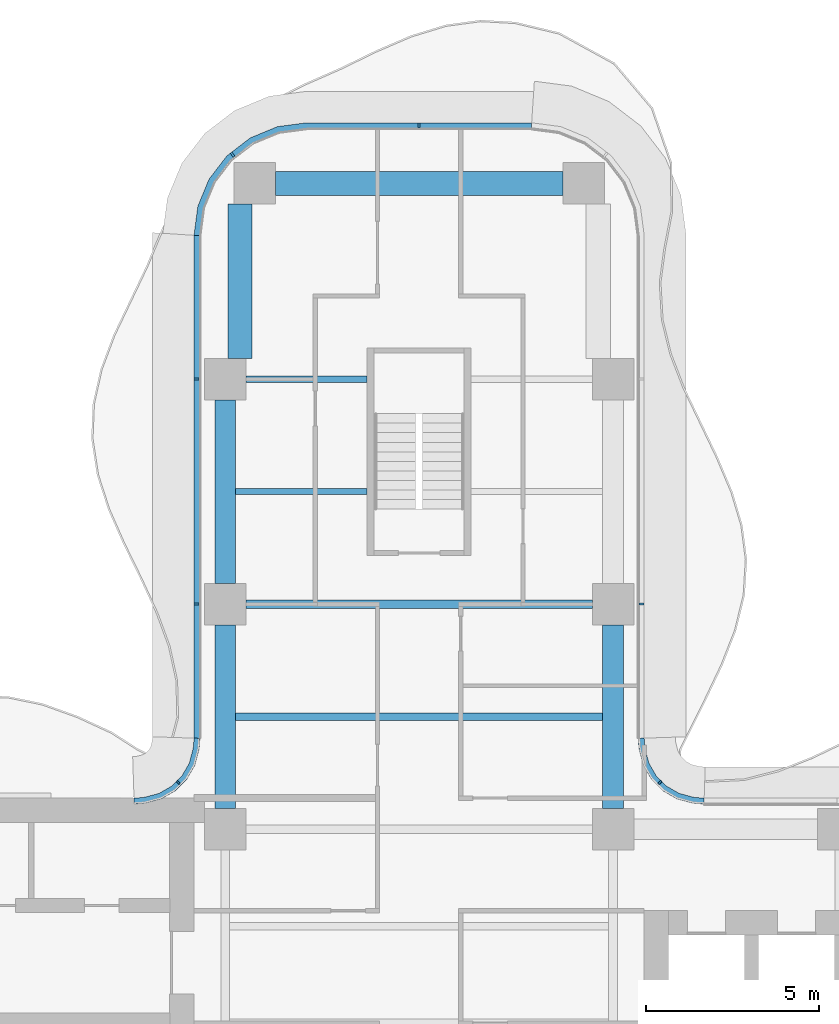
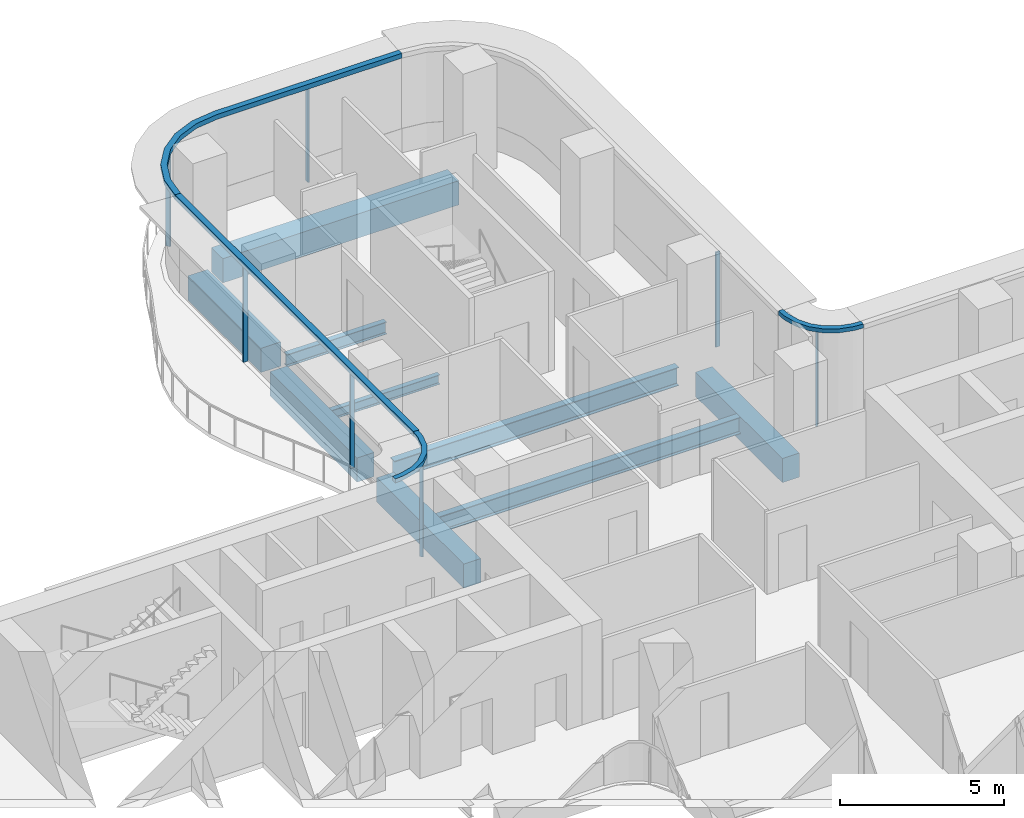
# One storey, part 7 of 17: 11 members, 9 beams, 5 elements without a shape of their own.
"""IFC4 building model written with IfcOpenShell, lengths in metres."""

from ifc_helpers import new_model, si_unit, direction, frame, origin, origin_2d, place, context, subcontext, project, spatial, polyline, rectangle, i_section, outline, extrude, source, transform, mapped, material, layer, layer_set, material_profile, profile_set, type_object, element, aggregate, save


model = new_model("IFC4")

# Units and contexts
model_context = context("Model", 3, precision=1e-05, world=origin(), true_north=direction((0.0, 1.0)))
body_context = subcontext(model_context, "Body", "Model", "MODEL_VIEW")
ifc_project = project(units=[si_unit("LENGTHUNIT", "METRE"), si_unit("AREAUNIT", "SQUARE_METRE"), si_unit("VOLUMEUNIT", "CUBIC_METRE"), si_unit("PLANEANGLEUNIT", "RADIAN"), si_unit("MASSUNIT", "GRAM", prefix="KILO")], contexts=[model_context])

# Site, building, storey
site_placement = place(None, origin())
site = spatial("IfcSite", under=ifc_project, at=site_placement, CompositionType="ELEMENT")
building_placement = place(site_placement, origin())
building = spatial("IfcBuilding", under=site, at=building_placement, Name="Trellis Farm Tower", CompositionType="ELEMENT")
storey_placement = place(building_placement, frame((0.0, 0.0, 181.5)))
storey = spatial("IfcBuildingStorey", under=building, at=storey_placement, Name="L39", CompositionType="ELEMENT", Elevation=181.5)

# Beams
ifc_material_1 = material(Name="Steel S355", Category="steel")
ifc_material_profile_1 = material_profile(ifc_material_1, i_section(OverallWidth=0.1904296875, OverallDepth=0.45703125, WebThickness=0.009033203125, FlangeThickness=0.014404296875, FilletRadius=0.01025390625, at=origin_2d()), Name="UB 457x191x74")
ifc_profile_set_1 = profile_set([ifc_material_profile_1], Name="Steel S355")
beam_type_1 = type_object("IfcBeamType", Name="UB 457x191x74", PredefinedType="BEAM", material=ifc_profile_set_1)
shared_shape_1 = source(origin(), body_context, "Body", "SweptSolid", [
    extrude(i_section(OverallWidth=0.1904296875, OverallDepth=0.45703125, WebThickness=0.009033203125, FlangeThickness=0.014404296875, FilletRadius=0.01025390625, at=origin_2d()), origin(), (0.0, 0.0, 1.0), 3.5),
])
beam_1_placement = place(storey_placement, frame((-5.0, 18.60009765625, -0.428466796875), z_axis=(1.0, 0.0, 0.0), x_axis=(0.0, 1.0, 0.0)))
element("IfcBeam", 1, at=beam_1_placement, inside=storey, type_object=beam_type_1, Name="Girder", PredefinedType="BEAM", context=body_context, shape_type="MappedRepresentation", body=[
    mapped(shared_shape_1, transform((0.0, 0.0, 0.0))),
])
ifc_material_2 = material(Name="Concrete C60/75", Category="concrete")
ifc_material_profile_2 = material_profile(ifc_material_2, rectangle(XDim=0.60009765625, YDim=0.89990234375, at=origin_2d()), Name="RC spandrel beam 600x900 C60/75")
ifc_profile_set_2 = profile_set([ifc_material_profile_2], Name="Concrete C60/75")
beam_type_2 = type_object("IfcBeamType", Name="RC spandrel beam 600x900 C60/75", PredefinedType="SPANDREL", material=ifc_profile_set_2)
shared_shape_2 = source(origin(), body_context, "Body", "SweptSolid", [
    extrude(rectangle(XDim=0.60009765625, YDim=0.89990234375, at=origin_2d()), origin(), (0.0, 0.0, 1.0), 5.300048828125),
])
for number, where, z_axis, x_axis, name in (
    (2, (-5.60009765625, 6.199951171875, -0.64990234375), (0.0, 1.0, 0.0), (-1.0, 0.0, 0.0), "Girder"),
    (3, (-5.60009765625, 12.699951171875, -0.64990234375), (0.0, 1.0, 0.0), (-1.0, 0.0, 0.0), "Girder"),
    (4, (5.60009765625, 6.199951171875, -0.64990234375), (0.0, 1.0, 0.0), (-1.0, 0.0, 0.0), "Girder"),
):
    element("IfcBeam", number, at=place(storey_placement, frame(where, z_axis=z_axis, x_axis=x_axis)), inside=storey, type_object=beam_type_2, Name=name, PredefinedType="SPANDREL", context=body_context, shape_type="MappedRepresentation", body=[
        mapped(shared_shape_2, transform((0.0, 0.0, 0.0))),
    ])
ifc_material_profile_3 = material_profile(ifc_material_1, i_section(OverallWidth=0.253662109375, OverallDepth=0.68359375, WebThickness=0.012451171875, FlangeThickness=0.021728515625, FilletRadius=0.01513671875, at=origin_2d()), Name="UB 686x254x140")
ifc_profile_set_3 = profile_set([ifc_material_profile_3], Name="Steel S355")
beam_type_3 = type_object("IfcBeamType", Name="UB 686x254x140", PredefinedType="BEAM", material=ifc_profile_set_3)
shared_shape_3 = source(origin(), body_context, "Body", "SweptSolid", [
    extrude(i_section(OverallWidth=0.253662109375, OverallDepth=0.68359375, WebThickness=0.012451171875, FlangeThickness=0.021728515625, FilletRadius=0.01513671875, at=origin_2d()), origin(), (0.0, 0.0, 1.0), 10.0),
])
beam_2_placement = place(storey_placement, frame((-5.0, 12.10009765625, -0.541748046875), z_axis=(1.0, 0.0, 0.0), x_axis=(0.0, 1.0, 0.0)))
element("IfcBeam", 5, at=beam_2_placement, inside=storey, type_object=beam_type_3, Name="Girder", PredefinedType="BEAM", context=body_context, shape_type="MappedRepresentation", body=[
    mapped(shared_shape_3, transform((0.0, 0.0, 0.0))),
])
ifc_material_profile_4 = material_profile(ifc_material_2, rectangle(XDim=0.699951171875, YDim=0.89990234375, at=origin_2d()), Name="RC spandrel beam 700x900 C60/75")
ifc_profile_set_4 = profile_set([ifc_material_profile_4], Name="Concrete C60/75")
beam_type_4 = type_object("IfcBeamType", Name="RC spandrel beam 700x900 C60/75", PredefinedType="SPANDREL", material=ifc_profile_set_4)
shared_shape_4 = source(origin(), body_context, "Body", "SweptSolid", [
    extrude(rectangle(XDim=0.699951171875, YDim=0.89990234375, at=origin_2d()), origin(), (0.0, 0.0, 1.0), 8.2998046875),
])
beam_3_placement = place(storey_placement, frame((-4.14990234375, 24.25, -0.64990234375), z_axis=(1.0, 0.0, 0.0), x_axis=(0.0, 1.0, 0.0)))
element("IfcBeam", 6, at=beam_3_placement, inside=storey, type_object=beam_type_4, Name="Girder", PredefinedType="SPANDREL", context=body_context, shape_type="MappedRepresentation", body=[
    mapped(shared_shape_4, transform((0.0, 0.0, 0.0))),
])
shared_shape_5 = source(origin(), body_context, "Body", "SweptSolid", [
    extrude(rectangle(XDim=0.699951171875, YDim=0.89990234375, at=origin_2d()), origin(), (0.0, 0.0, 1.0), 4.449951171875),
])
beam_4_placement = place(storey_placement, frame((-5.175048828125, 19.199951171875, -0.64990234375), z_axis=(0.0, 1.0, 0.0), x_axis=(-1.0, 0.0, 0.0)))
element("IfcBeam", 7, at=beam_4_placement, inside=storey, type_object=beam_type_4, Name="Girder", PredefinedType="SPANDREL", context=body_context, shape_type="MappedRepresentation", body=[
    mapped(shared_shape_5, transform((0.0, 0.0, 0.0))),
])
ifc_material_profile_5 = material_profile(ifc_material_1, i_section(OverallWidth=0.17138671875, OverallDepth=0.35498046875, WebThickness=0.00732421875, FlangeThickness=0.011474609375, FilletRadius=0.01025390625, at=origin_2d()), Name="UB 356x171x51")
ifc_profile_set_5 = profile_set([ifc_material_profile_5], Name="Steel S355")
beam_type_5 = type_object("IfcBeamType", Name="UB 356x171x51 joist", PredefinedType="JOIST", material=ifc_profile_set_5)
shared_shape_6 = source(origin(), body_context, "Body", "SweptSolid", [
    extrude(i_section(OverallWidth=0.17138671875, OverallDepth=0.35498046875, WebThickness=0.00732421875, FlangeThickness=0.011474609375, FilletRadius=0.01025390625, at=origin_2d()), origin(), (0.0, 0.0, 1.0), 3.800048828125),
])
beam_5_placement = place(storey_placement, frame((-5.300048828125, 15.35009765625, -0.37744140625), z_axis=(1.0, 0.0, 0.0), x_axis=(0.0, 1.0, 0.0)))
element("IfcBeam", 8, at=beam_5_placement, inside=storey, type_object=beam_type_5, Name="Floor beam", PredefinedType="JOIST", context=body_context, shape_type="MappedRepresentation", body=[
    mapped(shared_shape_6, transform((0.0, 0.0, 0.0))),
])
ifc_material_profile_6 = material_profile(ifc_material_1, i_section(OverallWidth=0.22900390625, OverallDepth=0.6123046875, WebThickness=0.011962890625, FlangeThickness=0.01953125, FilletRadius=0.0126953125, at=origin_2d()), Name="UB 610x229x125")
ifc_profile_set_6 = profile_set([ifc_material_profile_6], Name="Steel S355")
beam_type_6 = type_object("IfcBeamType", Name="UB 610x229x125 joist", PredefinedType="JOIST", material=ifc_profile_set_6)
shared_shape_7 = source(origin(), body_context, "Body", "SweptSolid", [
    extrude(i_section(OverallWidth=0.22900390625, OverallDepth=0.6123046875, WebThickness=0.011962890625, FlangeThickness=0.01953125, FilletRadius=0.0126953125, at=origin_2d()), origin(), (0.0, 0.0, 1.0), 10.60009765625),
])
beam_6_placement = place(storey_placement, frame((-5.300048828125, 8.85009765625, -0.506103515625), z_axis=(1.0, 0.0, 0.0), x_axis=(0.0, 1.0, 0.0)))
element("IfcBeam", 9, at=beam_6_placement, inside=storey, type_object=beam_type_6, Name="Floor beam", PredefinedType="JOIST", context=body_context, shape_type="MappedRepresentation", body=[
    mapped(shared_shape_7, transform((0.0, 0.0, 0.0))),
])

# Curtain wall, member
ifc_material_3 = material(Name="Aluminium and glass curtain wall", Category="aluminium")
ifc_layer_1 = layer(ifc_material_3, 0.166015625)
ifc_layer_set_1 = layer_set([ifc_layer_1], Name="WINTER GARDEN CURTAIN WALL CW3")
curtain_wall_type_1 = type_object("IfcCurtainWallType", Name="WINTER GARDEN CURTAIN WALL CW3", PredefinedType="NOTDEFINED", material=ifc_layer_set_1)
placement_1 = place(storey_placement, origin())
curtain_wall_1 = element("IfcCurtainWall", 10, at=placement_1, inside=storey, type_object=curtain_wall_type_1, Name="CW3 003", PredefinedType="NOTDEFINED")
ifc_material_4 = material(Name="Aluminium extrusion 6063-T6", Category="aluminium")
ifc_layer_2 = layer(ifc_material_4, 0.169921875)
ifc_layer_set_2 = layer_set([ifc_layer_2], Name="Aluminium extrusion 6063-T6")
member_type_1 = type_object("IfcMemberType", Name="CW3 TRANSOM 170x150", PredefinedType="USERDEFINED", material=ifc_layer_set_2)
shared_shape_8 = source(origin(), body_context, "Body", "SweptSolid", [
    extrude(outline(polyline([(8.2314453125, 6.5), (8.01953125, 6.513916015625), (7.91552734375, 6.527587890625), (7.508544921875, 6.63671875), (7.144287109375, 6.846923828125), (6.846923828125, 7.144287109375), (6.63671875, 7.508544921875), (6.527587890625, 7.91552734375), (6.513916015625, 8.01953125), (6.5, 8.2314453125), (6.330078125, 8.225830078125), (6.3447265625, 8.0029296875), (6.360595703125, 7.88232421875), (6.478271484375, 7.44287109375), (6.7109375, 7.0400390625), (7.0400390625, 6.7109375), (7.44287109375, 6.478271484375), (7.88232421875, 6.360595703125), (8.0029296875, 6.3447265625), (8.225830078125, 6.330078125), (8.2314453125, 6.5)])), origin(), (0.0, 0.0, 1.0), 0.14990234375),
])
placement_2 = place(storey_placement, frame((0.0, 0.0, 3.550048828125)))
member_1 = element("IfcMember", 11, at=placement_2, type_object=member_type_1, Name="TR3 003", ObjectType="TRANSOM", PredefinedType="USERDEFINED", context=body_context, shape_type="MappedRepresentation", body=[
    mapped(shared_shape_8, transform((0.0, 0.0, 0.0))),
])

curtain_wall_2 = element("IfcCurtainWall", 12, at=placement_1, inside=storey, type_object=curtain_wall_type_1, Name="CW3 004", PredefinedType="NOTDEFINED")
shared_shape_9 = source(origin(), body_context, "Body", "SweptSolid", [
    extrude(outline(polyline([(-6.5, 8.2314453125), (-6.513916015625, 8.01953125), (-6.527587890625, 7.91552734375), (-6.63671875, 7.508544921875), (-6.846923828125, 7.144287109375), (-7.144287109375, 6.846923828125), (-7.508544921875, 6.63671875), (-7.91552734375, 6.527587890625), (-8.01953125, 6.513916015625), (-8.2314453125, 6.5), (-8.225830078125, 6.330078125), (-8.0029296875, 6.3447265625), (-7.88232421875, 6.360595703125), (-7.44287109375, 6.478271484375), (-7.0400390625, 6.7109375), (-6.7109375, 7.0400390625), (-6.478271484375, 7.44287109375), (-6.360595703125, 7.88232421875), (-6.3447265625, 8.0029296875), (-6.330078125, 8.225830078125), (-6.5, 8.2314453125)])), origin(), (0.0, 0.0, 1.0), 0.14990234375),
])
member_2 = element("IfcMember", 13, at=placement_2, type_object=member_type_1, Name="TR3 004", ObjectType="TRANSOM", PredefinedType="USERDEFINED", context=body_context, shape_type="MappedRepresentation", body=[
    mapped(shared_shape_9, transform((0.0, 0.0, 0.0))),
])

ifc_layer_3 = layer(ifc_material_3, 0.18994140625)
ifc_layer_set_3 = layer_set([ifc_layer_3], Name="RIBBON CURTAIN WALL CW1")
curtain_wall_type_2 = type_object("IfcCurtainWallType", Name="RIBBON CURTAIN WALL CW1", PredefinedType="NOTDEFINED", material=ifc_layer_set_3)
curtain_wall_3 = element("IfcCurtainWall", 14, at=placement_1, inside=storey, type_object=curtain_wall_type_2, Name="CW1 011", PredefinedType="NOTDEFINED")
ifc_layer_4 = layer(ifc_material_4, 0.199951171875)
ifc_layer_set_4 = layer_set([ifc_layer_4], Name="Aluminium extrusion 6063-T6")
member_type_2 = type_object("IfcMemberType", Name="CW1 TRANSOM 200x180", PredefinedType="USERDEFINED", material=ifc_layer_set_4)
shared_shape_10 = source(origin(), body_context, "Body", "SweptSolid", [
    extrude(outline(polyline([(-6.5, 22.75), (-6.5, 8.2314453125), (-6.300048828125, 8.224853515625), (-6.300048828125, 22.73681640625), (-6.5, 22.75)])), origin(), (0.0, 0.0, 1.0), 0.179931640625),
])
placement_3 = place(storey_placement, frame((0.0, 0.0, 3.52001953125)))
member_3 = element("IfcMember", 15, at=placement_3, type_object=member_type_2, Name="TR1 011", ObjectType="TRANSOM", PredefinedType="USERDEFINED", context=body_context, shape_type="MappedRepresentation", body=[
    mapped(shared_shape_10, transform((0.0, 0.0, 0.0))),
])

curtain_wall_4 = element("IfcCurtainWall", 16, at=placement_1, inside=storey, type_object=curtain_wall_type_2, Name="CW1 010", PredefinedType="NOTDEFINED")
shared_shape_11 = source(origin(), body_context, "Body", "SweptSolid", [
    extrude(outline(polyline([(3.25, 26.0), (-3.25, 26.0), (-4.091064453125, 25.88916015625), (-4.875, 25.564697265625), (-5.548095703125, 25.048095703125), (-6.064697265625, 24.375), (-6.38916015625, 23.591064453125), (-6.5, 22.75), (-6.300048828125, 22.73681640625), (-6.1943359375, 23.5390625), (-5.889892578125, 24.274169921875), (-5.405517578125, 24.905517578125), (-4.774169921875, 25.389892578125), (-4.0390625, 25.6943359375), (-3.23681640625, 25.800048828125), (3.23681640625, 25.800048828125), (3.25, 26.0)])), origin(), (0.0, 0.0, 1.0), 0.179931640625),
])
member_4 = element("IfcMember", 17, at=placement_3, type_object=member_type_2, Name="TR1 010", ObjectType="TRANSOM", PredefinedType="USERDEFINED", context=body_context, shape_type="MappedRepresentation", body=[
    mapped(shared_shape_11, transform((0.0, 0.0, 0.0))),
])

curtain_wall_5 = element("IfcCurtainWall", 18, at=placement_1, inside=storey, type_object=curtain_wall_type_2, Name="CW1 009", PredefinedType="NOTDEFINED")
ifc_material_profile_7 = material_profile(ifc_material_4, rectangle(XDim=0.06005859375, YDim=0.14990234375, at=origin_2d()), Name="MULLION 60x150")
ifc_profile_set_7 = profile_set([ifc_material_profile_7], Name="Aluminium extrusion 6063-T6")
member_type_3 = type_object("IfcMemberType", Name="CW1 MULLION 60x150", PredefinedType="MULLION", material=ifc_profile_set_7)
shared_shape_12 = source(origin(), body_context, "Body", "SweptSolid", [
    extrude(rectangle(XDim=0.06005859375, YDim=0.14990234375, at=origin_2d()), origin(), (0.0, 0.0, 1.0), 3.52001953125),
])
member_5_placement = place(storey_placement, frame((6.425048828125, 12.10009765625, 0.0), z_axis=(0.0, 0.0, 1.0), x_axis=(0.0, 1.0, 0.0)))
member_5 = element("IfcMember", 19, at=member_5_placement, type_object=member_type_3, Name="MU1 009-01", PredefinedType="MULLION", context=body_context, shape_type="MappedRepresentation", body=[
    mapped(shared_shape_12, transform((0.0, 0.0, 0.0))),
])
aggregate(curtain_wall_5, [member_5])

# Member
member_6_placement = place(storey_placement, frame((0.0, 25.925048828125, 0.0), z_axis=(0.0, 0.0, 1.0), x_axis=(-1.0, 0.0, 0.0)))
member_6 = element("IfcMember", 20, at=member_6_placement, type_object=member_type_3, Name="MU1 010-01", PredefinedType="MULLION", context=body_context, shape_type="MappedRepresentation", body=[
    mapped(shared_shape_12, transform((0.0, 0.0, 0.0))),
])

member_7_placement = place(storey_placement, frame((-5.385498046875, 25.078369140625, 0.0), z_axis=(0.0, 0.0, 1.0), x_axis=(-0.793353340291, -0.608761429009, 0.0)))
member_7 = element("IfcMember", 21, at=member_7_placement, type_object=member_type_3, Name="MU1 010-02", PredefinedType="MULLION", context=body_context, shape_type="MappedRepresentation", body=[
    mapped(shared_shape_12, transform((0.0, 0.0, 0.0))),
])

aggregate(curtain_wall_4, [member_6, member_7, member_4])

member_8_placement = place(storey_placement, frame((-6.425048828125, 18.60009765625, 0.0), z_axis=(0.0, 0.0, 1.0), x_axis=(0.0, -1.0, 0.0)))
member_8 = element("IfcMember", 22, at=member_8_placement, type_object=member_type_3, Name="MU1 011-01", PredefinedType="MULLION", context=body_context, shape_type="MappedRepresentation", body=[
    mapped(shared_shape_12, transform((0.0, 0.0, 0.0))),
])

member_9_placement = place(storey_placement, frame((-6.425048828125, 12.10009765625, 0.0), z_axis=(0.0, 0.0, 1.0), x_axis=(0.0, -1.0, 0.0)))
member_9 = element("IfcMember", 23, at=member_9_placement, type_object=member_type_3, Name="MU1 011-02", PredefinedType="MULLION", context=body_context, shape_type="MappedRepresentation", body=[
    mapped(shared_shape_12, transform((0.0, 0.0, 0.0))),
])

aggregate(curtain_wall_3, [member_8, member_9, member_3])

ifc_material_profile_8 = material_profile(ifc_material_4, rectangle(XDim=0.050048828125, YDim=0.1201171875, at=origin_2d()), Name="MULLION 50x120")
ifc_profile_set_8 = profile_set([ifc_material_profile_8], Name="Aluminium extrusion 6063-T6")
member_type_4 = type_object("IfcMemberType", Name="CW3 MULLION 50x120", PredefinedType="MULLION", material=ifc_profile_set_8)
shared_shape_13 = source(origin(), body_context, "Body", "SweptSolid", [
    extrude(rectangle(XDim=0.050048828125, YDim=0.1201171875, at=origin_2d()), origin(), (0.0, 0.0, 1.0), 3.550048828125),
])
member_10_placement = place(storey_placement, frame((6.953125, 6.953125, 0.0), z_axis=(0.0, 0.0, 1.0), x_axis=(-0.707106781187, 0.707106781187, 0.0)))
member_10 = element("IfcMember", 24, at=member_10_placement, type_object=member_type_4, Name="MU3 003-01", PredefinedType="MULLION", context=body_context, shape_type="MappedRepresentation", body=[
    mapped(shared_shape_13, transform((0.0, 0.0, 0.0))),
])

aggregate(curtain_wall_1, [member_10, member_1])

member_11_placement = place(storey_placement, frame((-6.953125, 6.953125, 0.0), z_axis=(0.0, 0.0, 1.0), x_axis=(-0.707106781187, -0.707106781187, 0.0)))
member_11 = element("IfcMember", 25, at=member_11_placement, type_object=member_type_4, Name="MU3 004-01", PredefinedType="MULLION", context=body_context, shape_type="MappedRepresentation", body=[
    mapped(shared_shape_13, transform((0.0, 0.0, 0.0))),
])

aggregate(curtain_wall_2, [member_11, member_2])

save(model, "model.ifc")
